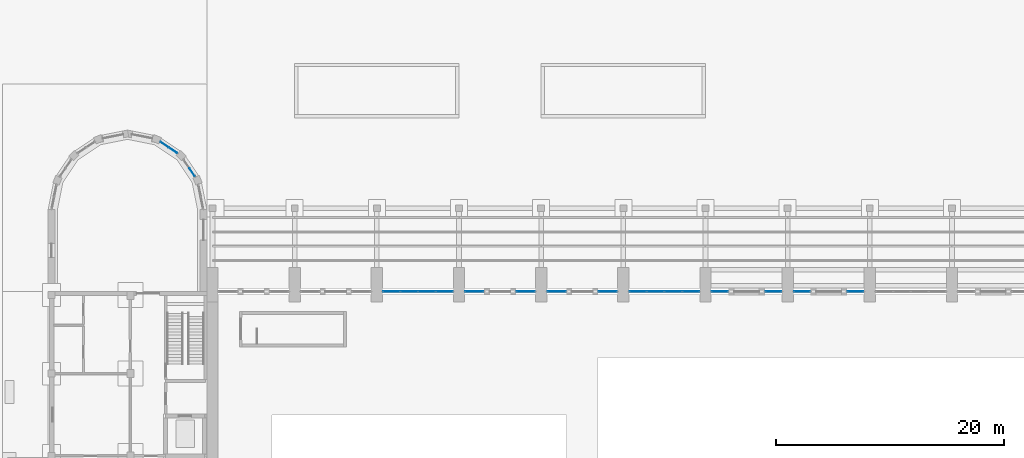
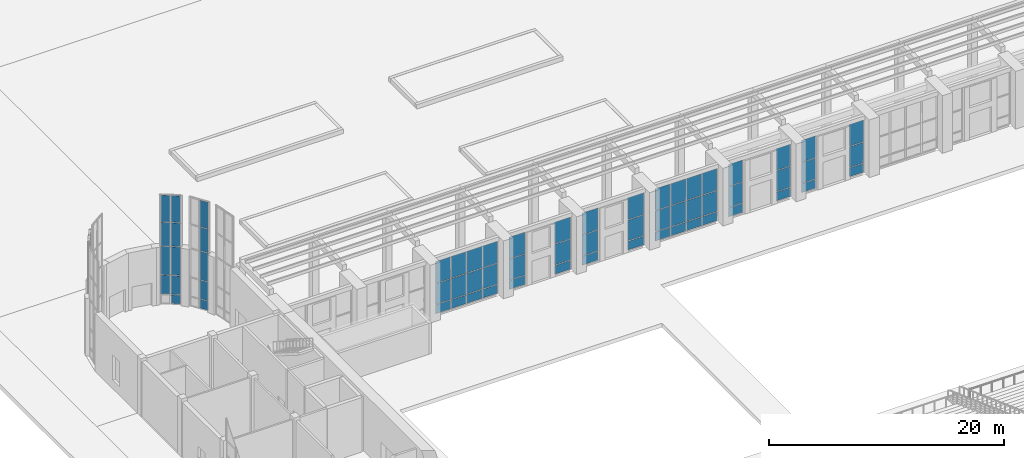
# One storey, part 32 of 70: 62 plates, 12 elements without a shape of their own.
"""IFC4 building model written with IfcOpenShell, lengths in metres."""

from ifc_helpers import new_model, si_unit, direction, frame, origin, origin_2d, place, context, subcontext, project, spatial, rectangle, extrude, material, layer, layer_set, type_object, element, aggregate, save


model = new_model("IFC4")

# Units and contexts
model_context = context("Model", 3, precision=1e-05, world=origin(), true_north=direction((0.0, 1.0)))
body_context = subcontext(model_context, "Body", "Model", "MODEL_VIEW")
ifc_project = project(units=[si_unit("LENGTHUNIT", "METRE"), si_unit("AREAUNIT", "SQUARE_METRE"), si_unit("VOLUMEUNIT", "CUBIC_METRE"), si_unit("PLANEANGLEUNIT", "RADIAN"), si_unit("MASSUNIT", "GRAM", prefix="KILO")], contexts=[model_context])

# Site, building, storey
site_placement = place(None, origin())
site = spatial("IfcSite", under=ifc_project, at=site_placement, CompositionType="ELEMENT")
building_placement = place(site_placement, origin())
building = spatial("IfcBuilding", under=site, at=building_placement, Name="Vermilion Court Aquatics Centre", CompositionType="ELEMENT")
storey_placement = place(building_placement, origin())
storey = spatial("IfcBuildingStorey", under=building, at=storey_placement, Name="L00", CompositionType="ELEMENT", Elevation=0.0)

# Curtain wall, plates
ifc_material_1 = material(Name="Aluminium 6063-T5", Category="aluminium")
curtain_wall_type_1 = type_object("IfcCurtainWallType", Name="Envelope curtain wall hall glazing L00", PredefinedType="NOTDEFINED", material=ifc_material_1)
curtain_wall_1_placement = place(storey_placement, origin())
curtain_wall_1 = element("IfcCurtainWall", 1, at=curtain_wall_1_placement, inside=storey, type_object=curtain_wall_type_1, Name="Hall glazing bay 3 L00", PredefinedType="NOTDEFINED")
ifc_material_2 = material(Name="Glazing", Category="glass")
ifc_layer_1 = layer(ifc_material_2, 0.028076171875)
ifc_layer_set_1 = layer_set([ifc_layer_1], Name="Envelope insulated glazing panel 28")
plate_type_1 = type_object("IfcPlateType", Name="Envelope insulated glazing panel 28", PredefinedType="CURTAIN_PANEL", material=ifc_layer_set_1)
plate_1_placement = place(storey_placement, frame((30.090087890625, 64.800048828125, 0.06005859375), z_axis=(0.0, 0.0, 1.0), x_axis=(1.0, 0.0, 0.0)))
plate_1 = element("IfcPlate", 2, at=plate_1_placement, type_object=plate_type_1, Name="ECW1 panel 1.1", PredefinedType="CURTAIN_PANEL", context=body_context, shape_type="SweptSolid", body=[
    extrude(rectangle(XDim=1.4599609375, YDim=0.028076171875, at=origin_2d()), origin(), (0.0, 0.0, 1.0), 0.909912109375),
])
plate_2_placement = place(storey_placement, frame((30.090087890625, 64.800048828125, 1.0302734375), z_axis=(0.0, 0.0, 1.0), x_axis=(1.0, 0.0, 0.0)))
plate_2 = element("IfcPlate", 3, at=plate_2_placement, type_object=plate_type_1, Name="ECW1 panel 1.2", PredefinedType="CURTAIN_PANEL", context=body_context, shape_type="SweptSolid", body=[
    extrude(rectangle(XDim=1.4599609375, YDim=0.028076171875, at=origin_2d()), origin(), (0.0, 0.0, 1.0), 2.139892578125),
])
plate_3_placement = place(storey_placement, frame((30.090087890625, 64.800048828125, 3.22998046875), z_axis=(0.0, 0.0, 1.0), x_axis=(1.0, 0.0, 0.0)))
plate_3 = element("IfcPlate", 4, at=plate_3_placement, type_object=plate_type_1, Name="ECW1 panel 1.3", PredefinedType="CURTAIN_PANEL", context=body_context, shape_type="SweptSolid", body=[
    extrude(rectangle(XDim=1.4599609375, YDim=0.028076171875, at=origin_2d()), origin(), (0.0, 0.0, 1.0), 2.260009765625),
])
plate_4_placement = place(storey_placement, frame((31.625, 64.800048828125, 0.06005859375), z_axis=(0.0, 0.0, 1.0), x_axis=(1.0, 0.0, 0.0)))
plate_4 = element("IfcPlate", 5, at=plate_4_placement, type_object=plate_type_1, Name="ECW1 panel 2.1", PredefinedType="CURTAIN_PANEL", context=body_context, shape_type="SweptSolid", body=[
    extrude(rectangle(XDim=1.489990234375, YDim=0.028076171875, at=origin_2d()), origin(), (0.0, 0.0, 1.0), 0.909912109375),
])
plate_5_placement = place(storey_placement, frame((31.625, 64.800048828125, 1.0302734375), z_axis=(0.0, 0.0, 1.0), x_axis=(1.0, 0.0, 0.0)))
plate_5 = element("IfcPlate", 6, at=plate_5_placement, type_object=plate_type_1, Name="ECW1 panel 2.2", PredefinedType="CURTAIN_PANEL", context=body_context, shape_type="SweptSolid", body=[
    extrude(rectangle(XDim=1.489990234375, YDim=0.028076171875, at=origin_2d()), origin(), (0.0, 0.0, 1.0), 2.139892578125),
])
plate_6_placement = place(storey_placement, frame((31.625, 64.800048828125, 3.22998046875), z_axis=(0.0, 0.0, 1.0), x_axis=(1.0, 0.0, 0.0)))
plate_6 = element("IfcPlate", 7, at=plate_6_placement, type_object=plate_type_1, Name="ECW1 panel 2.3", PredefinedType="CURTAIN_PANEL", context=body_context, shape_type="SweptSolid", body=[
    extrude(rectangle(XDim=1.489990234375, YDim=0.028076171875, at=origin_2d()), origin(), (0.0, 0.0, 1.0), 2.260009765625),
])
plate_7_placement = place(storey_placement, frame((33.175048828125, 64.800048828125, 0.06005859375), z_axis=(0.0, 0.0, 1.0), x_axis=(1.0, 0.0, 0.0)))
plate_7 = element("IfcPlate", 8, at=plate_7_placement, type_object=plate_type_1, Name="ECW1 panel 3.1", PredefinedType="CURTAIN_PANEL", context=body_context, shape_type="SweptSolid", body=[
    extrude(rectangle(XDim=1.489990234375, YDim=0.028076171875, at=origin_2d()), origin(), (0.0, 0.0, 1.0), 0.909912109375),
])
plate_8_placement = place(storey_placement, frame((33.175048828125, 64.800048828125, 1.0302734375), z_axis=(0.0, 0.0, 1.0), x_axis=(1.0, 0.0, 0.0)))
plate_8 = element("IfcPlate", 9, at=plate_8_placement, type_object=plate_type_1, Name="ECW1 panel 3.2", PredefinedType="CURTAIN_PANEL", context=body_context, shape_type="SweptSolid", body=[
    extrude(rectangle(XDim=1.489990234375, YDim=0.028076171875, at=origin_2d()), origin(), (0.0, 0.0, 1.0), 2.139892578125),
])
plate_9_placement = place(storey_placement, frame((33.175048828125, 64.800048828125, 3.22998046875), z_axis=(0.0, 0.0, 1.0), x_axis=(1.0, 0.0, 0.0)))
plate_9 = element("IfcPlate", 10, at=plate_9_placement, type_object=plate_type_1, Name="ECW1 panel 3.3", PredefinedType="CURTAIN_PANEL", context=body_context, shape_type="SweptSolid", body=[
    extrude(rectangle(XDim=1.489990234375, YDim=0.028076171875, at=origin_2d()), origin(), (0.0, 0.0, 1.0), 2.260009765625),
])
plate_10_placement = place(storey_placement, frame((34.7099609375, 64.800048828125, 0.06005859375), z_axis=(0.0, 0.0, 1.0), x_axis=(1.0, 0.0, 0.0)))
plate_10 = element("IfcPlate", 11, at=plate_10_placement, type_object=plate_type_1, Name="ECW1 panel 4.1", PredefinedType="CURTAIN_PANEL", context=body_context, shape_type="SweptSolid", body=[
    extrude(rectangle(XDim=1.4599609375, YDim=0.028076171875, at=origin_2d()), origin(), (0.0, 0.0, 1.0), 0.909912109375),
])
plate_11_placement = place(storey_placement, frame((34.7099609375, 64.800048828125, 1.0302734375), z_axis=(0.0, 0.0, 1.0), x_axis=(1.0, 0.0, 0.0)))
plate_11 = element("IfcPlate", 12, at=plate_11_placement, type_object=plate_type_1, Name="ECW1 panel 4.2", PredefinedType="CURTAIN_PANEL", context=body_context, shape_type="SweptSolid", body=[
    extrude(rectangle(XDim=1.4599609375, YDim=0.028076171875, at=origin_2d()), origin(), (0.0, 0.0, 1.0), 2.139892578125),
])
plate_12_placement = place(storey_placement, frame((34.7099609375, 64.800048828125, 3.22998046875), z_axis=(0.0, 0.0, 1.0), x_axis=(1.0, 0.0, 0.0)))
plate_12 = element("IfcPlate", 13, at=plate_12_placement, type_object=plate_type_1, Name="ECW1 panel 4.3", PredefinedType="CURTAIN_PANEL", context=body_context, shape_type="SweptSolid", body=[
    extrude(rectangle(XDim=1.4599609375, YDim=0.028076171875, at=origin_2d()), origin(), (0.0, 0.0, 1.0), 2.260009765625),
])
aggregate(curtain_wall_1, [plate_1, plate_2, plate_3, plate_4, plate_5, plate_6, plate_7, plate_8, plate_9, plate_10, plate_11, plate_12])

curtain_wall_2_placement = place(storey_placement, origin())
curtain_wall_2 = element("IfcCurtainWall", 14, at=curtain_wall_2_placement, inside=storey, type_object=curtain_wall_type_1, Name="Hall entrance sidelight bay 4 L00 W", PredefinedType="NOTDEFINED")
plate_13_placement = place(storey_placement, frame((37.35009765625, 64.800048828125, 0.06005859375), z_axis=(0.0, 0.0, 1.0), x_axis=(1.0, 0.0, 0.0)))
plate_13 = element("IfcPlate", 15, at=plate_13_placement, type_object=plate_type_1, Name="ECW1 panel 1.1", PredefinedType="CURTAIN_PANEL", context=body_context, shape_type="SweptSolid", body=[
    extrude(rectangle(XDim=1.580078125, YDim=0.028076171875, at=origin_2d()), origin(), (0.0, 0.0, 1.0), 0.909912109375),
])
plate_14_placement = place(storey_placement, frame((37.35009765625, 64.800048828125, 1.0302734375), z_axis=(0.0, 0.0, 1.0), x_axis=(1.0, 0.0, 0.0)))
plate_14 = element("IfcPlate", 16, at=plate_14_placement, type_object=plate_type_1, Name="ECW1 panel 1.2", PredefinedType="CURTAIN_PANEL", context=body_context, shape_type="SweptSolid", body=[
    extrude(rectangle(XDim=1.580078125, YDim=0.028076171875, at=origin_2d()), origin(), (0.0, 0.0, 1.0), 2.139892578125),
])
plate_15_placement = place(storey_placement, frame((37.35009765625, 64.800048828125, 3.22998046875), z_axis=(0.0, 0.0, 1.0), x_axis=(1.0, 0.0, 0.0)))
plate_15 = element("IfcPlate", 17, at=plate_15_placement, type_object=plate_type_1, Name="ECW1 panel 1.3", PredefinedType="CURTAIN_PANEL", context=body_context, shape_type="SweptSolid", body=[
    extrude(rectangle(XDim=1.580078125, YDim=0.028076171875, at=origin_2d()), origin(), (0.0, 0.0, 1.0), 2.260009765625),
])
aggregate(curtain_wall_2, [plate_13, plate_14, plate_15])

curtain_wall_3_placement = place(storey_placement, origin())
curtain_wall_3 = element("IfcCurtainWall", 18, at=curtain_wall_3_placement, inside=storey, type_object=curtain_wall_type_1, Name="Hall entrance sidelight bay 4 L00 E", PredefinedType="NOTDEFINED")
plate_16_placement = place(storey_placement, frame((41.85009765625, 64.800048828125, 0.06005859375), z_axis=(0.0, 0.0, 1.0), x_axis=(1.0, 0.0, 0.0)))
plate_16 = element("IfcPlate", 19, at=plate_16_placement, type_object=plate_type_1, Name="ECW1 panel 1.1", PredefinedType="CURTAIN_PANEL", context=body_context, shape_type="SweptSolid", body=[
    extrude(rectangle(XDim=1.580078125, YDim=0.028076171875, at=origin_2d()), origin(), (0.0, 0.0, 1.0), 0.909912109375),
])
plate_17_placement = place(storey_placement, frame((41.85009765625, 64.800048828125, 1.0302734375), z_axis=(0.0, 0.0, 1.0), x_axis=(1.0, 0.0, 0.0)))
plate_17 = element("IfcPlate", 20, at=plate_17_placement, type_object=plate_type_1, Name="ECW1 panel 1.2", PredefinedType="CURTAIN_PANEL", context=body_context, shape_type="SweptSolid", body=[
    extrude(rectangle(XDim=1.580078125, YDim=0.028076171875, at=origin_2d()), origin(), (0.0, 0.0, 1.0), 2.139892578125),
])
plate_18_placement = place(storey_placement, frame((41.85009765625, 64.800048828125, 3.22998046875), z_axis=(0.0, 0.0, 1.0), x_axis=(1.0, 0.0, 0.0)))
plate_18 = element("IfcPlate", 21, at=plate_18_placement, type_object=plate_type_1, Name="ECW1 panel 1.3", PredefinedType="CURTAIN_PANEL", context=body_context, shape_type="SweptSolid", body=[
    extrude(rectangle(XDim=1.580078125, YDim=0.028076171875, at=origin_2d()), origin(), (0.0, 0.0, 1.0), 2.260009765625),
])
aggregate(curtain_wall_3, [plate_16, plate_17, plate_18])

curtain_wall_4_placement = place(storey_placement, origin())
curtain_wall_4 = element("IfcCurtainWall", 22, at=curtain_wall_4_placement, inside=storey, type_object=curtain_wall_type_1, Name="Hall entrance sidelight bay 5 L00 W", PredefinedType="NOTDEFINED")
plate_19_placement = place(storey_placement, frame((44.550048828125, 64.800048828125, 0.06005859375), z_axis=(0.0, 0.0, 1.0), x_axis=(1.0, 0.0, 0.0)))
plate_19 = element("IfcPlate", 23, at=plate_19_placement, type_object=plate_type_1, Name="ECW1 panel 1.1", PredefinedType="CURTAIN_PANEL", context=body_context, shape_type="SweptSolid", body=[
    extrude(rectangle(XDim=1.580078125, YDim=0.028076171875, at=origin_2d()), origin(), (0.0, 0.0, 1.0), 0.909912109375),
])
plate_20_placement = place(storey_placement, frame((44.550048828125, 64.800048828125, 1.0302734375), z_axis=(0.0, 0.0, 1.0), x_axis=(1.0, 0.0, 0.0)))
plate_20 = element("IfcPlate", 24, at=plate_20_placement, type_object=plate_type_1, Name="ECW1 panel 1.2", PredefinedType="CURTAIN_PANEL", context=body_context, shape_type="SweptSolid", body=[
    extrude(rectangle(XDim=1.580078125, YDim=0.028076171875, at=origin_2d()), origin(), (0.0, 0.0, 1.0), 2.139892578125),
])
plate_21_placement = place(storey_placement, frame((44.550048828125, 64.800048828125, 3.22998046875), z_axis=(0.0, 0.0, 1.0), x_axis=(1.0, 0.0, 0.0)))
plate_21 = element("IfcPlate", 25, at=plate_21_placement, type_object=plate_type_1, Name="ECW1 panel 1.3", PredefinedType="CURTAIN_PANEL", context=body_context, shape_type="SweptSolid", body=[
    extrude(rectangle(XDim=1.580078125, YDim=0.028076171875, at=origin_2d()), origin(), (0.0, 0.0, 1.0), 2.260009765625),
])
aggregate(curtain_wall_4, [plate_19, plate_20, plate_21])

curtain_wall_5_placement = place(storey_placement, origin())
curtain_wall_5 = element("IfcCurtainWall", 26, at=curtain_wall_5_placement, inside=storey, type_object=curtain_wall_type_1, Name="Hall entrance sidelight bay 5 L00 E", PredefinedType="NOTDEFINED")
plate_22_placement = place(storey_placement, frame((49.050048828125, 64.800048828125, 0.06005859375), z_axis=(0.0, 0.0, 1.0), x_axis=(1.0, 0.0, 0.0)))
plate_22 = element("IfcPlate", 27, at=plate_22_placement, type_object=plate_type_1, Name="ECW1 panel 1.1", PredefinedType="CURTAIN_PANEL", context=body_context, shape_type="SweptSolid", body=[
    extrude(rectangle(XDim=1.580078125, YDim=0.028076171875, at=origin_2d()), origin(), (0.0, 0.0, 1.0), 0.909912109375),
])
plate_23_placement = place(storey_placement, frame((49.050048828125, 64.800048828125, 1.0302734375), z_axis=(0.0, 0.0, 1.0), x_axis=(1.0, 0.0, 0.0)))
plate_23 = element("IfcPlate", 28, at=plate_23_placement, type_object=plate_type_1, Name="ECW1 panel 1.2", PredefinedType="CURTAIN_PANEL", context=body_context, shape_type="SweptSolid", body=[
    extrude(rectangle(XDim=1.580078125, YDim=0.028076171875, at=origin_2d()), origin(), (0.0, 0.0, 1.0), 2.139892578125),
])
plate_24_placement = place(storey_placement, frame((49.050048828125, 64.800048828125, 3.22998046875), z_axis=(0.0, 0.0, 1.0), x_axis=(1.0, 0.0, 0.0)))
plate_24 = element("IfcPlate", 29, at=plate_24_placement, type_object=plate_type_1, Name="ECW1 panel 1.3", PredefinedType="CURTAIN_PANEL", context=body_context, shape_type="SweptSolid", body=[
    extrude(rectangle(XDim=1.580078125, YDim=0.028076171875, at=origin_2d()), origin(), (0.0, 0.0, 1.0), 2.260009765625),
])
aggregate(curtain_wall_5, [plate_22, plate_23, plate_24])

curtain_wall_6_placement = place(storey_placement, origin())
curtain_wall_6 = element("IfcCurtainWall", 30, at=curtain_wall_6_placement, inside=storey, type_object=curtain_wall_type_1, Name="Hall glazing bay 6 L00", PredefinedType="NOTDEFINED")
plate_25_placement = place(storey_placement, frame((51.68994140625, 64.800048828125, 0.06005859375), z_axis=(0.0, 0.0, 1.0), x_axis=(1.0, 0.0, 0.0)))
plate_25 = element("IfcPlate", 31, at=plate_25_placement, type_object=plate_type_1, Name="ECW1 panel 1.1", PredefinedType="CURTAIN_PANEL", context=body_context, shape_type="SweptSolid", body=[
    extrude(rectangle(XDim=1.4599609375, YDim=0.028076171875, at=origin_2d()), origin(), (0.0, 0.0, 1.0), 0.909912109375),
])
plate_26_placement = place(storey_placement, frame((51.68994140625, 64.800048828125, 1.0302734375), z_axis=(0.0, 0.0, 1.0), x_axis=(1.0, 0.0, 0.0)))
plate_26 = element("IfcPlate", 32, at=plate_26_placement, type_object=plate_type_1, Name="ECW1 panel 1.2", PredefinedType="CURTAIN_PANEL", context=body_context, shape_type="SweptSolid", body=[
    extrude(rectangle(XDim=1.4599609375, YDim=0.028076171875, at=origin_2d()), origin(), (0.0, 0.0, 1.0), 2.139892578125),
])
plate_27_placement = place(storey_placement, frame((51.68994140625, 64.800048828125, 3.22998046875), z_axis=(0.0, 0.0, 1.0), x_axis=(1.0, 0.0, 0.0)))
plate_27 = element("IfcPlate", 33, at=plate_27_placement, type_object=plate_type_1, Name="ECW1 panel 1.3", PredefinedType="CURTAIN_PANEL", context=body_context, shape_type="SweptSolid", body=[
    extrude(rectangle(XDim=1.4599609375, YDim=0.028076171875, at=origin_2d()), origin(), (0.0, 0.0, 1.0), 2.260009765625),
])
plate_28_placement = place(storey_placement, frame((53.22509765625, 64.800048828125, 0.06005859375), z_axis=(0.0, 0.0, 1.0), x_axis=(1.0, 0.0, 0.0)))
plate_28 = element("IfcPlate", 34, at=plate_28_placement, type_object=plate_type_1, Name="ECW1 panel 2.1", PredefinedType="CURTAIN_PANEL", context=body_context, shape_type="SweptSolid", body=[
    extrude(rectangle(XDim=1.489990234375, YDim=0.028076171875, at=origin_2d()), origin(), (0.0, 0.0, 1.0), 0.909912109375),
])
plate_29_placement = place(storey_placement, frame((53.22509765625, 64.800048828125, 1.0302734375), z_axis=(0.0, 0.0, 1.0), x_axis=(1.0, 0.0, 0.0)))
plate_29 = element("IfcPlate", 35, at=plate_29_placement, type_object=plate_type_1, Name="ECW1 panel 2.2", PredefinedType="CURTAIN_PANEL", context=body_context, shape_type="SweptSolid", body=[
    extrude(rectangle(XDim=1.489990234375, YDim=0.028076171875, at=origin_2d()), origin(), (0.0, 0.0, 1.0), 2.139892578125),
])
plate_30_placement = place(storey_placement, frame((53.22509765625, 64.800048828125, 3.22998046875), z_axis=(0.0, 0.0, 1.0), x_axis=(1.0, 0.0, 0.0)))
plate_30 = element("IfcPlate", 36, at=plate_30_placement, type_object=plate_type_1, Name="ECW1 panel 2.3", PredefinedType="CURTAIN_PANEL", context=body_context, shape_type="SweptSolid", body=[
    extrude(rectangle(XDim=1.489990234375, YDim=0.028076171875, at=origin_2d()), origin(), (0.0, 0.0, 1.0), 2.260009765625),
])
plate_31_placement = place(storey_placement, frame((54.77490234375, 64.800048828125, 0.06005859375), z_axis=(0.0, 0.0, 1.0), x_axis=(1.0, 0.0, 0.0)))
plate_31 = element("IfcPlate", 37, at=plate_31_placement, type_object=plate_type_1, Name="ECW1 panel 3.1", PredefinedType="CURTAIN_PANEL", context=body_context, shape_type="SweptSolid", body=[
    extrude(rectangle(XDim=1.489990234375, YDim=0.028076171875, at=origin_2d()), origin(), (0.0, 0.0, 1.0), 0.909912109375),
])
plate_32_placement = place(storey_placement, frame((54.77490234375, 64.800048828125, 1.0302734375), z_axis=(0.0, 0.0, 1.0), x_axis=(1.0, 0.0, 0.0)))
plate_32 = element("IfcPlate", 38, at=plate_32_placement, type_object=plate_type_1, Name="ECW1 panel 3.2", PredefinedType="CURTAIN_PANEL", context=body_context, shape_type="SweptSolid", body=[
    extrude(rectangle(XDim=1.489990234375, YDim=0.028076171875, at=origin_2d()), origin(), (0.0, 0.0, 1.0), 2.139892578125),
])
plate_33_placement = place(storey_placement, frame((54.77490234375, 64.800048828125, 3.22998046875), z_axis=(0.0, 0.0, 1.0), x_axis=(1.0, 0.0, 0.0)))
plate_33 = element("IfcPlate", 39, at=plate_33_placement, type_object=plate_type_1, Name="ECW1 panel 3.3", PredefinedType="CURTAIN_PANEL", context=body_context, shape_type="SweptSolid", body=[
    extrude(rectangle(XDim=1.489990234375, YDim=0.028076171875, at=origin_2d()), origin(), (0.0, 0.0, 1.0), 2.260009765625),
])
plate_34_placement = place(storey_placement, frame((56.31005859375, 64.800048828125, 0.06005859375), z_axis=(0.0, 0.0, 1.0), x_axis=(1.0, 0.0, 0.0)))
plate_34 = element("IfcPlate", 40, at=plate_34_placement, type_object=plate_type_1, Name="ECW1 panel 4.1", PredefinedType="CURTAIN_PANEL", context=body_context, shape_type="SweptSolid", body=[
    extrude(rectangle(XDim=1.4599609375, YDim=0.028076171875, at=origin_2d()), origin(), (0.0, 0.0, 1.0), 0.909912109375),
])
plate_35_placement = place(storey_placement, frame((56.31005859375, 64.800048828125, 1.0302734375), z_axis=(0.0, 0.0, 1.0), x_axis=(1.0, 0.0, 0.0)))
plate_35 = element("IfcPlate", 41, at=plate_35_placement, type_object=plate_type_1, Name="ECW1 panel 4.2", PredefinedType="CURTAIN_PANEL", context=body_context, shape_type="SweptSolid", body=[
    extrude(rectangle(XDim=1.4599609375, YDim=0.028076171875, at=origin_2d()), origin(), (0.0, 0.0, 1.0), 2.139892578125),
])
plate_36_placement = place(storey_placement, frame((56.31005859375, 64.800048828125, 3.22998046875), z_axis=(0.0, 0.0, 1.0), x_axis=(1.0, 0.0, 0.0)))
plate_36 = element("IfcPlate", 42, at=plate_36_placement, type_object=plate_type_1, Name="ECW1 panel 4.3", PredefinedType="CURTAIN_PANEL", context=body_context, shape_type="SweptSolid", body=[
    extrude(rectangle(XDim=1.4599609375, YDim=0.028076171875, at=origin_2d()), origin(), (0.0, 0.0, 1.0), 2.260009765625),
])
aggregate(curtain_wall_6, [plate_25, plate_26, plate_27, plate_28, plate_29, plate_30, plate_31, plate_32, plate_33, plate_34, plate_35, plate_36])

curtain_wall_7_placement = place(storey_placement, origin())
curtain_wall_7 = element("IfcCurtainWall", 43, at=curtain_wall_7_placement, inside=storey, type_object=curtain_wall_type_1, Name="Hall entrance sidelight bay 7 L00 W", PredefinedType="NOTDEFINED")
plate_37_placement = place(storey_placement, frame((58.85009765625, 64.800048828125, 0.06005859375), z_axis=(0.0, 0.0, 1.0), x_axis=(1.0, 0.0, 0.0)))
plate_37 = element("IfcPlate", 44, at=plate_37_placement, type_object=plate_type_1, Name="ECW1 panel 1.1", PredefinedType="CURTAIN_PANEL", context=body_context, shape_type="SweptSolid", body=[
    extrude(rectangle(XDim=1.3798828125, YDim=0.028076171875, at=origin_2d()), origin(), (0.0, 0.0, 1.0), 0.909912109375),
])
plate_38_placement = place(storey_placement, frame((58.85009765625, 64.800048828125, 1.0302734375), z_axis=(0.0, 0.0, 1.0), x_axis=(1.0, 0.0, 0.0)))
plate_38 = element("IfcPlate", 45, at=plate_38_placement, type_object=plate_type_1, Name="ECW1 panel 1.2", PredefinedType="CURTAIN_PANEL", context=body_context, shape_type="SweptSolid", body=[
    extrude(rectangle(XDim=1.3798828125, YDim=0.028076171875, at=origin_2d()), origin(), (0.0, 0.0, 1.0), 2.139892578125),
])
plate_39_placement = place(storey_placement, frame((58.85009765625, 64.800048828125, 3.22998046875), z_axis=(0.0, 0.0, 1.0), x_axis=(1.0, 0.0, 0.0)))
plate_39 = element("IfcPlate", 46, at=plate_39_placement, type_object=plate_type_1, Name="ECW1 panel 1.3", PredefinedType="CURTAIN_PANEL", context=body_context, shape_type="SweptSolid", body=[
    extrude(rectangle(XDim=1.3798828125, YDim=0.028076171875, at=origin_2d()), origin(), (0.0, 0.0, 1.0), 2.260009765625),
])
aggregate(curtain_wall_7, [plate_37, plate_38, plate_39])

curtain_wall_8_placement = place(storey_placement, origin())
curtain_wall_8 = element("IfcCurtainWall", 47, at=curtain_wall_8_placement, inside=storey, type_object=curtain_wall_type_1, Name="Hall entrance sidelight bay 7 L00 E", PredefinedType="NOTDEFINED")
plate_40_placement = place(storey_placement, frame((63.550048828125, 64.800048828125, 0.06005859375), z_axis=(0.0, 0.0, 1.0), x_axis=(1.0, 0.0, 0.0)))
plate_40 = element("IfcPlate", 48, at=plate_40_placement, type_object=plate_type_1, Name="ECW1 panel 1.1", PredefinedType="CURTAIN_PANEL", context=body_context, shape_type="SweptSolid", body=[
    extrude(rectangle(XDim=1.3798828125, YDim=0.028076171875, at=origin_2d()), origin(), (0.0, 0.0, 1.0), 0.909912109375),
])
plate_41_placement = place(storey_placement, frame((63.550048828125, 64.800048828125, 1.0302734375), z_axis=(0.0, 0.0, 1.0), x_axis=(1.0, 0.0, 0.0)))
plate_41 = element("IfcPlate", 49, at=plate_41_placement, type_object=plate_type_1, Name="ECW1 panel 1.2", PredefinedType="CURTAIN_PANEL", context=body_context, shape_type="SweptSolid", body=[
    extrude(rectangle(XDim=1.3798828125, YDim=0.028076171875, at=origin_2d()), origin(), (0.0, 0.0, 1.0), 2.139892578125),
])
plate_42_placement = place(storey_placement, frame((63.550048828125, 64.800048828125, 3.22998046875), z_axis=(0.0, 0.0, 1.0), x_axis=(1.0, 0.0, 0.0)))
plate_42 = element("IfcPlate", 50, at=plate_42_placement, type_object=plate_type_1, Name="ECW1 panel 1.3", PredefinedType="CURTAIN_PANEL", context=body_context, shape_type="SweptSolid", body=[
    extrude(rectangle(XDim=1.3798828125, YDim=0.028076171875, at=origin_2d()), origin(), (0.0, 0.0, 1.0), 2.260009765625),
])
aggregate(curtain_wall_8, [plate_40, plate_41, plate_42])

curtain_wall_9_placement = place(storey_placement, origin())
curtain_wall_9 = element("IfcCurtainWall", 51, at=curtain_wall_9_placement, inside=storey, type_object=curtain_wall_type_1, Name="Hall entrance sidelight bay 8 L00 W", PredefinedType="NOTDEFINED")
plate_43_placement = place(storey_placement, frame((66.050048828125, 64.800048828125, 0.06005859375), z_axis=(0.0, 0.0, 1.0), x_axis=(1.0, 0.0, 0.0)))
plate_43 = element("IfcPlate", 52, at=plate_43_placement, type_object=plate_type_1, Name="ECW1 panel 1.1", PredefinedType="CURTAIN_PANEL", context=body_context, shape_type="SweptSolid", body=[
    extrude(rectangle(XDim=1.3798828125, YDim=0.028076171875, at=origin_2d()), origin(), (0.0, 0.0, 1.0), 0.909912109375),
])
plate_44_placement = place(storey_placement, frame((66.050048828125, 64.800048828125, 1.0302734375), z_axis=(0.0, 0.0, 1.0), x_axis=(1.0, 0.0, 0.0)))
plate_44 = element("IfcPlate", 53, at=plate_44_placement, type_object=plate_type_1, Name="ECW1 panel 1.2", PredefinedType="CURTAIN_PANEL", context=body_context, shape_type="SweptSolid", body=[
    extrude(rectangle(XDim=1.3798828125, YDim=0.028076171875, at=origin_2d()), origin(), (0.0, 0.0, 1.0), 2.139892578125),
])
plate_45_placement = place(storey_placement, frame((66.050048828125, 64.800048828125, 3.22998046875), z_axis=(0.0, 0.0, 1.0), x_axis=(1.0, 0.0, 0.0)))
plate_45 = element("IfcPlate", 54, at=plate_45_placement, type_object=plate_type_1, Name="ECW1 panel 1.3", PredefinedType="CURTAIN_PANEL", context=body_context, shape_type="SweptSolid", body=[
    extrude(rectangle(XDim=1.3798828125, YDim=0.028076171875, at=origin_2d()), origin(), (0.0, 0.0, 1.0), 2.260009765625),
])
aggregate(curtain_wall_9, [plate_43, plate_44, plate_45])

curtain_wall_10_placement = place(storey_placement, origin())
curtain_wall_10 = element("IfcCurtainWall", 55, at=curtain_wall_10_placement, inside=storey, type_object=curtain_wall_type_1, Name="Hall entrance sidelight bay 8 L00 E", PredefinedType="NOTDEFINED")
plate_46_placement = place(storey_placement, frame((70.75, 64.800048828125, 0.06005859375), z_axis=(0.0, 0.0, 1.0), x_axis=(1.0, 0.0, 0.0)))
plate_46 = element("IfcPlate", 56, at=plate_46_placement, type_object=plate_type_1, Name="ECW1 panel 1.1", PredefinedType="CURTAIN_PANEL", context=body_context, shape_type="SweptSolid", body=[
    extrude(rectangle(XDim=1.3798828125, YDim=0.028076171875, at=origin_2d()), origin(), (0.0, 0.0, 1.0), 0.909912109375),
])
plate_47_placement = place(storey_placement, frame((70.75, 64.800048828125, 1.0302734375), z_axis=(0.0, 0.0, 1.0), x_axis=(1.0, 0.0, 0.0)))
plate_47 = element("IfcPlate", 57, at=plate_47_placement, type_object=plate_type_1, Name="ECW1 panel 1.2", PredefinedType="CURTAIN_PANEL", context=body_context, shape_type="SweptSolid", body=[
    extrude(rectangle(XDim=1.3798828125, YDim=0.028076171875, at=origin_2d()), origin(), (0.0, 0.0, 1.0), 2.139892578125),
])
plate_48_placement = place(storey_placement, frame((70.75, 64.800048828125, 3.22998046875), z_axis=(0.0, 0.0, 1.0), x_axis=(1.0, 0.0, 0.0)))
plate_48 = element("IfcPlate", 58, at=plate_48_placement, type_object=plate_type_1, Name="ECW1 panel 1.3", PredefinedType="CURTAIN_PANEL", context=body_context, shape_type="SweptSolid", body=[
    extrude(rectangle(XDim=1.3798828125, YDim=0.028076171875, at=origin_2d()), origin(), (0.0, 0.0, 1.0), 2.260009765625),
])
aggregate(curtain_wall_10, [plate_46, plate_47, plate_48])

ifc_material_3 = material(Name="Aluminium 6063-T5", Category="aluminium")
curtain_wall_type_2 = type_object("IfcCurtainWallType", Name="Rotunda curtain wall", PredefinedType="NOTDEFINED", material=ifc_material_3)
curtain_wall_11_placement = place(storey_placement, origin())
curtain_wall_11 = element("IfcCurtainWall", 59, at=curtain_wall_11_placement, inside=storey, type_object=curtain_wall_type_2, Name="Rotunda curtain wall", PredefinedType="NOTDEFINED")
ifc_material_4 = material(Name="Glazing", Category="glass")
ifc_layer_2 = layer(ifc_material_4, 0.028076171875)
ifc_layer_set_2 = layer_set([ifc_layer_2], Name="Foyer glazing panel 28")
plate_type_2 = type_object("IfcPlateType", Name="Foyer glazing panel 28", PredefinedType="CURTAIN_PANEL", material=ifc_layer_set_2)
plate_49_placement = place(storey_placement, frame((10.20068359375, 77.665283203125, 1.030029296875), z_axis=(0.0, 0.0, 1.0), x_axis=(0.831489287601, -0.555540785725, 0.0)))
plate_49 = element("IfcPlate", 60, at=plate_49_placement, type_object=plate_type_2, Name="HRT8 panel 1.2", PredefinedType="CURTAIN_PANEL", context=body_context, shape_type="SweptSolid", body=[
    extrude(rectangle(XDim=0.829345703125, YDim=0.028076171875, at=origin_2d()), origin(), (0.0, 0.0, 1.0), 1.93994140625),
])
plate_50_placement = place(storey_placement, frame((10.20068359375, 77.665283203125, 3.030029296875), z_axis=(0.0, 0.0, 1.0), x_axis=(0.831489287601, -0.555540785725, 0.0)))
plate_50 = element("IfcPlate", 61, at=plate_50_placement, type_object=plate_type_2, Name="HRT8 panel 1.3", PredefinedType="CURTAIN_PANEL", context=body_context, shape_type="SweptSolid", body=[
    extrude(rectangle(XDim=0.829345703125, YDim=0.028076171875, at=origin_2d()), origin(), (0.0, 0.0, 1.0), 2.93994140625),
])
plate_51_placement = place(storey_placement, frame((10.20068359375, 77.665283203125, 6.030029296875), z_axis=(0.0, 0.0, 1.0), x_axis=(0.831489287601, -0.555540785725, 0.0)))
plate_51 = element("IfcPlate", 62, at=plate_51_placement, type_object=plate_type_2, Name="HRT8 panel 1.4", PredefinedType="CURTAIN_PANEL", context=body_context, shape_type="SweptSolid", body=[
    extrude(rectangle(XDim=0.829345703125, YDim=0.028076171875, at=origin_2d()), origin(), (0.0, 0.0, 1.0), 2.43994140625),
])
plate_52_placement = place(storey_placement, frame((10.20068359375, 77.665283203125, 8.52978515625), z_axis=(0.0, 0.0, 1.0), x_axis=(0.831489287601, -0.555540785725, 0.0)))
plate_52 = element("IfcPlate", 63, at=plate_52_placement, type_object=plate_type_2, Name="HRT8 panel 1.5", PredefinedType="CURTAIN_PANEL", context=body_context, shape_type="SweptSolid", body=[
    extrude(rectangle(XDim=0.829345703125, YDim=0.028076171875, at=origin_2d()), origin(), (0.0, 0.0, 1.0), 2.760009765625),
])
plate_53_placement = place(storey_placement, frame((10.940185546875, 77.171142578125, 1.030029296875), z_axis=(0.0, 0.0, 1.0), x_axis=(0.831489287601, -0.555540785725, 0.0)))
plate_53 = element("IfcPlate", 64, at=plate_53_placement, type_object=plate_type_2, Name="HRT8 panel 2.2", PredefinedType="CURTAIN_PANEL", context=body_context, shape_type="SweptSolid", body=[
    extrude(rectangle(XDim=0.829345703125, YDim=0.028076171875, at=origin_2d()), origin(), (0.0, 0.0, 1.0), 1.93994140625),
])
plate_54_placement = place(storey_placement, frame((10.940185546875, 77.171142578125, 3.030029296875), z_axis=(0.0, 0.0, 1.0), x_axis=(0.831489287601, -0.555540785725, 0.0)))
plate_54 = element("IfcPlate", 65, at=plate_54_placement, type_object=plate_type_2, Name="HRT8 panel 2.3", PredefinedType="CURTAIN_PANEL", context=body_context, shape_type="SweptSolid", body=[
    extrude(rectangle(XDim=0.829345703125, YDim=0.028076171875, at=origin_2d()), origin(), (0.0, 0.0, 1.0), 2.93994140625),
])
plate_55_placement = place(storey_placement, frame((10.940185546875, 77.171142578125, 6.030029296875), z_axis=(0.0, 0.0, 1.0), x_axis=(0.831489287601, -0.555540785725, 0.0)))
plate_55 = element("IfcPlate", 66, at=plate_55_placement, type_object=plate_type_2, Name="HRT8 panel 2.4", PredefinedType="CURTAIN_PANEL", context=body_context, shape_type="SweptSolid", body=[
    extrude(rectangle(XDim=0.829345703125, YDim=0.028076171875, at=origin_2d()), origin(), (0.0, 0.0, 1.0), 2.43994140625),
])
plate_56_placement = place(storey_placement, frame((10.940185546875, 77.171142578125, 8.52978515625), z_axis=(0.0, 0.0, 1.0), x_axis=(0.831489287601, -0.555540785725, 0.0)))
plate_56 = element("IfcPlate", 67, at=plate_56_placement, type_object=plate_type_2, Name="HRT8 panel 2.5", PredefinedType="CURTAIN_PANEL", context=body_context, shape_type="SweptSolid", body=[
    extrude(rectangle(XDim=0.829345703125, YDim=0.028076171875, at=origin_2d()), origin(), (0.0, 0.0, 1.0), 2.760009765625),
])

curtain_wall_12_placement = place(storey_placement, origin())
curtain_wall_12 = element("IfcCurtainWall", 68, at=curtain_wall_12_placement, inside=storey, type_object=curtain_wall_type_2, Name="Rotunda curtain wall", PredefinedType="NOTDEFINED")
plate_57_placement = place(storey_placement, frame((12.615234375, 75.25048828125, 1.030029296875), z_axis=(0.0, 0.0, 1.0), x_axis=(0.555540785725, -0.831489287601, 0.0)))
plate_57 = element("IfcPlate", 69, at=plate_57_placement, type_object=plate_type_2, Name="HRT8 panel 2.2", PredefinedType="CURTAIN_PANEL", context=body_context, shape_type="SweptSolid", body=[
    extrude(rectangle(XDim=0.829345703125, YDim=0.028076171875, at=origin_2d()), origin(), (0.0, 0.0, 1.0), 1.93994140625),
])
plate_58_placement = place(storey_placement, frame((12.615234375, 75.25048828125, 3.030029296875), z_axis=(0.0, 0.0, 1.0), x_axis=(0.555540785725, -0.831489287601, 0.0)))
plate_58 = element("IfcPlate", 70, at=plate_58_placement, type_object=plate_type_2, Name="HRT8 panel 2.3", PredefinedType="CURTAIN_PANEL", context=body_context, shape_type="SweptSolid", body=[
    extrude(rectangle(XDim=0.829345703125, YDim=0.028076171875, at=origin_2d()), origin(), (0.0, 0.0, 1.0), 2.93994140625),
])
plate_59_placement = place(storey_placement, frame((12.615234375, 75.25048828125, 6.030029296875), z_axis=(0.0, 0.0, 1.0), x_axis=(0.555540785725, -0.831489287601, 0.0)))
plate_59 = element("IfcPlate", 71, at=plate_59_placement, type_object=plate_type_2, Name="HRT8 panel 2.4", PredefinedType="CURTAIN_PANEL", context=body_context, shape_type="SweptSolid", body=[
    extrude(rectangle(XDim=0.829345703125, YDim=0.028076171875, at=origin_2d()), origin(), (0.0, 0.0, 1.0), 2.43994140625),
])
plate_60_placement = place(storey_placement, frame((12.615234375, 75.25048828125, 8.52978515625), z_axis=(0.0, 0.0, 1.0), x_axis=(0.555540785725, -0.831489287601, 0.0)))
plate_60 = element("IfcPlate", 72, at=plate_60_placement, type_object=plate_type_2, Name="HRT8 panel 2.5", PredefinedType="CURTAIN_PANEL", context=body_context, shape_type="SweptSolid", body=[
    extrude(rectangle(XDim=0.829345703125, YDim=0.028076171875, at=origin_2d()), origin(), (0.0, 0.0, 1.0), 2.760009765625),
])

# Plate
ifc_material_5 = material(Name="Glazing", Category="glass")
ifc_layer_3 = layer(ifc_material_5, 0.0400390625)
ifc_layer_set_3 = layer_set([ifc_layer_3], Name="Foyer laminated safety panel 40")
plate_type_3 = type_object("IfcPlateType", Name="Foyer laminated safety panel 40", PredefinedType="CURTAIN_PANEL", material=ifc_layer_set_3)
plate_61_placement = place(storey_placement, frame((10.940185546875, 77.171142578125, 0.06005859375), z_axis=(0.0, 0.0, 1.0), x_axis=(0.831489287601, -0.555540785725, 0.0)))
plate_61 = element("IfcPlate", 73, at=plate_61_placement, type_object=plate_type_3, Name="HRT8 panel 2.1", PredefinedType="CURTAIN_PANEL", context=body_context, shape_type="SweptSolid", body=[
    extrude(rectangle(XDim=0.829345703125, YDim=0.0400390625, at=origin_2d()), origin(), (0.0, 0.0, 1.0), 0.909912109375),
])

aggregate(curtain_wall_11, [plate_49, plate_50, plate_51, plate_52, plate_61, plate_53, plate_54, plate_55, plate_56])

plate_62_placement = place(storey_placement, frame((12.615234375, 75.25048828125, 0.06005859375), z_axis=(0.0, 0.0, 1.0), x_axis=(0.555540785725, -0.831489287601, 0.0)))
plate_62 = element("IfcPlate", 74, at=plate_62_placement, type_object=plate_type_3, Name="HRT8 panel 2.1", PredefinedType="CURTAIN_PANEL", context=body_context, shape_type="SweptSolid", body=[
    extrude(rectangle(XDim=0.829345703125, YDim=0.0400390625, at=origin_2d()), origin(), (0.0, 0.0, 1.0), 0.909912109375),
])

aggregate(curtain_wall_12, [plate_62, plate_57, plate_58, plate_59, plate_60])

save(model, "model.ifc")
